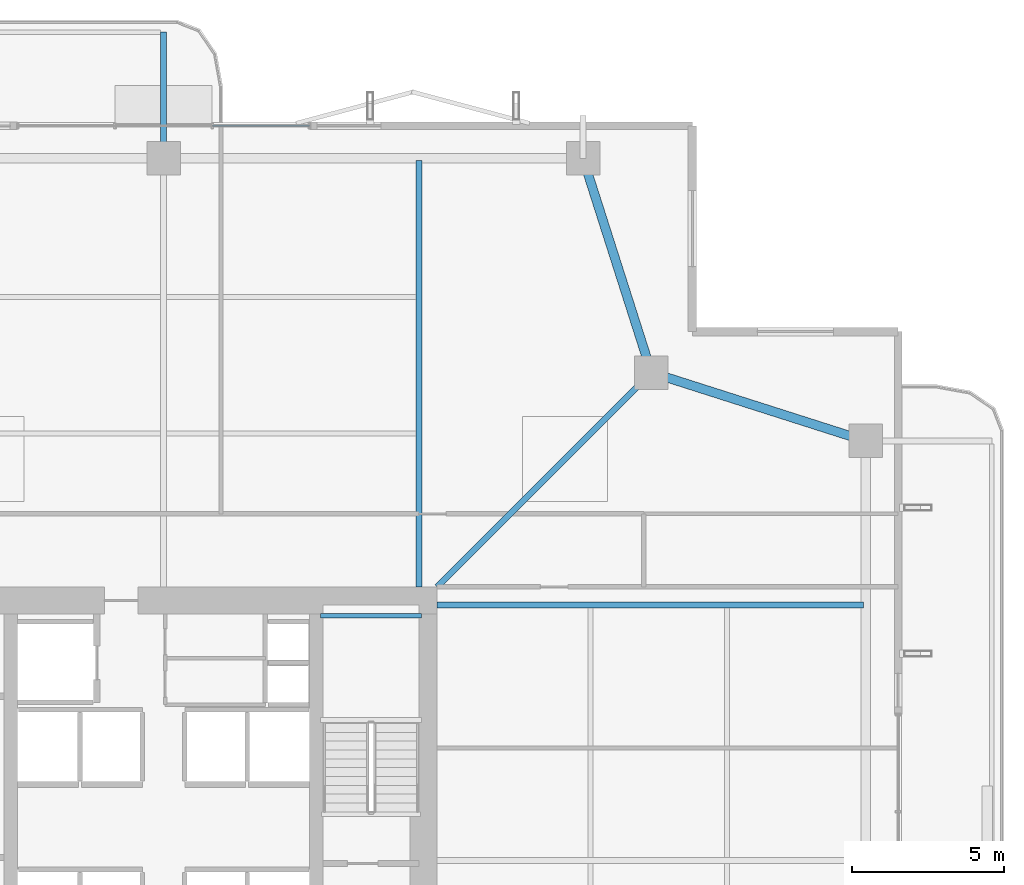
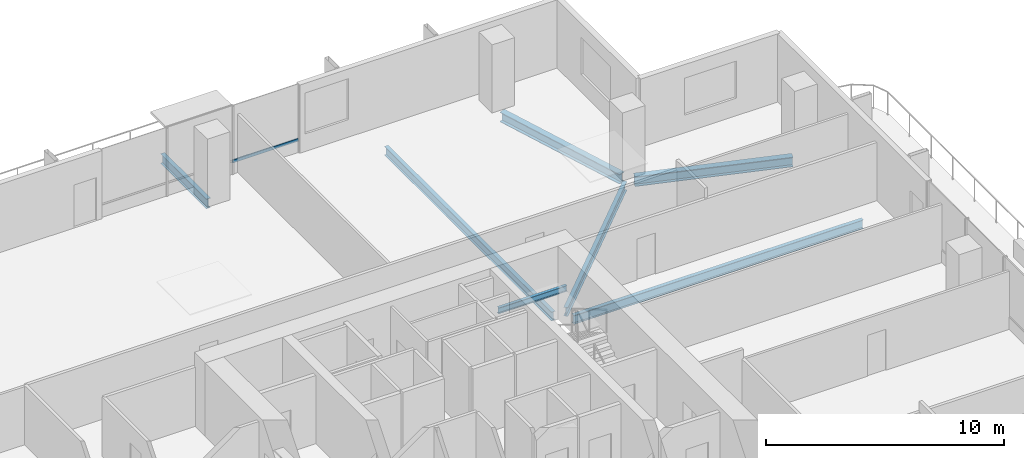
# One storey, part 14 of 25: 7 beams, 1 member, 1 element without a shape of its own.
"""IFC4 building model written with IfcOpenShell, lengths in metres."""

from ifc_helpers import new_model, si_unit, direction, frame, origin, origin_2d, place, context, subcontext, project, spatial, hollow_rectangle, i_section, extrude, material, layer, layer_set, material_profile, profile_set, type_object, element, aggregate, save


model = new_model("IFC4")

# Units and contexts
model_context = context("Model", 3, precision=1e-05, world=origin(), true_north=direction((0.0, 1.0)))
body_context = subcontext(model_context, "Body", "Model", "MODEL_VIEW")
ifc_project = project(units=[si_unit("LENGTHUNIT", "METRE"), si_unit("AREAUNIT", "SQUARE_METRE"), si_unit("VOLUMEUNIT", "CUBIC_METRE"), si_unit("PLANEANGLEUNIT", "RADIAN"), si_unit("MASSUNIT", "GRAM", prefix="KILO")], contexts=[model_context])

# Site, building, storey
site_placement = place(None, origin())
site = spatial("IfcSite", under=ifc_project, at=site_placement, CompositionType="ELEMENT")
building_placement = place(site_placement, origin())
building = spatial("IfcBuilding", under=site, at=building_placement, Name="Belovzor Exchange Tower", CompositionType="ELEMENT")
storey_placement = place(building_placement, frame((0.0, 0.0, 187.050048828125)))
storey = spatial("IfcBuildingStorey", under=building, at=storey_placement, Name="L46", CompositionType="ELEMENT", Elevation=187.050048828125)

# Beams
ifc_material_1 = material(Name="Steel S355", Category="steel")
ifc_material_profile_1 = material_profile(ifc_material_1, i_section(OverallWidth=0.199951171875, OverallDepth=0.5, WebThickness=0.01025390625, FlangeThickness=0.01611328125, at=origin_2d()))
ifc_profile_set_1 = profile_set([ifc_material_profile_1], Name="Steel S355")
beam_type_1 = type_object("IfcBeamType", Name="Planted Balcony Cantilever Beam IPE 500", PredefinedType="BEAM", material=ifc_profile_set_1)
beam_1_placement = place(storey_placement, frame((28.800048828125, 52.202880859375, -0.505126953125), z_axis=(0.0, 1.0, 0.0), x_axis=(-1.0, 0.0, 0.0)))
element("IfcBeam", 1, at=beam_1_placement, inside=storey, type_object=beam_type_1, Name="BC-500 Planted Balcony Cantilever Beam IPE 500", PredefinedType="BEAM", context=body_context, shape_type="SweptSolid", body=[
    extrude(i_section(OverallWidth=0.199951171875, OverallDepth=0.5, WebThickness=0.01025390625, FlangeThickness=0.01611328125, at=origin_2d()), origin(), (0.0, 0.0, 1.0), 3.85009765625),
])
ifc_material_2 = material(Name="Steel S355", Category="steel")
ifc_material_profile_2 = material_profile(ifc_material_2, i_section(OverallWidth=0.14990234375, OverallDepth=0.300048828125, WebThickness=0.007080078125, FlangeThickness=0.0107421875, at=origin_2d()))
ifc_profile_set_2 = profile_set([ifc_material_profile_2], Name="Steel S355")
beam_type_2 = type_object("IfcBeamType", Name="Secondary Trim Floor Joist IPE 300", PredefinedType="BEAM", material=ifc_profile_set_2)
beam_2_placement = place(storey_placement, frame((37.280029296875, 36.85009765625, 1.52490234375), z_axis=(-1.0, 0.0, 0.0), x_axis=(0.0, -1.0, 0.0)))
element("IfcBeam", 2, at=beam_2_placement, inside=storey, type_object=beam_type_2, Name="FJ-300 Secondary Trim Floor Joist IPE 300", PredefinedType="BEAM", context=body_context, shape_type="SweptSolid", body=[
    extrude(i_section(OverallWidth=0.14990234375, OverallDepth=0.300048828125, WebThickness=0.007080078125, FlangeThickness=0.0107421875, at=origin_2d()), origin(), (0.0, 0.0, 1.0), 3.31005859375),
])

# Curtain wall, member
ifc_material_3 = material(Name="Anodised Aluminium Framing", Category="aluminium")
ifc_layer = layer(ifc_material_3, 0.179931640625)
ifc_layer_set = layer_set([ifc_layer], Name="Anodised Aluminium Framing")
curtain_wall_type = type_object("IfcCurtainWallType", Name="Recessed Loggia Low-Iron Triple-Glazed Curtain Wall", PredefinedType="NOTDEFINED", material=ifc_layer_set)
curtain_wall_placement = place(storey_placement, origin())
curtain_wall = element("IfcCurtainWall", 3, at=curtain_wall_placement, inside=storey, type_object=curtain_wall_type, Name="CW3 Recessed Loggia Low-Iron Triple-Glazed Curtain Wall L46", PredefinedType="NOTDEFINED")
ifc_material_4 = material(Name="Steel S355", Category="steel")
ifc_material_profile_3 = material_profile(ifc_material_4, hollow_rectangle(XDim=0.06005859375, YDim=0.14990234375, WallThickness=0.00390625, at=origin_2d()))
ifc_profile_set_3 = profile_set([ifc_material_profile_3], Name="Steel S355")
member_type = type_object("IfcMemberType", Name="Thermally Broken Curtain Wall Transom 150x60", PredefinedType="USERDEFINED", material=ifc_profile_set_3)
member_placement = place(storey_placement, frame((30.407958984375, 52.969970703125, 0.62890625), z_axis=(1.0, 0.0, 0.0), x_axis=(0.0, 1.0, 0.0)))
member = element("IfcMember", 4, at=member_placement, type_object=member_type, Name="CW-T150 Curtain Wall Transom 3", ObjectType="TRANSOM", PredefinedType="USERDEFINED", context=body_context, shape_type="SweptSolid", body=[
    extrude(hollow_rectangle(XDim=0.06005859375, YDim=0.14990234375, WallThickness=0.00390625, at=origin_2d()), origin(), (0.0, 0.0, 1.0), 3.18408203125),
])
aggregate(curtain_wall, [member])

# Beams
ifc_material_5 = material(Name="Steel S355", Category="steel")
ifc_material_profile_4 = material_profile(ifc_material_5, i_section(OverallWidth=0.18994140625, OverallDepth=0.449951171875, WebThickness=0.009521484375, FlangeThickness=0.0146484375, at=origin_2d()))
ifc_profile_set_4 = profile_set([ifc_material_profile_4], Name="Steel S355")
beam_type_3 = type_object("IfcBeamType", Name="Zone 2-4 Radial Composite Floor Beam IPE 450", PredefinedType="BEAM", material=ifc_profile_set_4)
for number, where, z_axis, x_axis, name in (
    (5, (37.199951171875, 37.800048828125, -0.47998046875), (0.0, 1.0, 0.0), (-1.0, 0.0, 0.0), "FB-450 Zone 2-4 Radial Composite Floor Beam IPE 450"),
    (6, (37.800048828125, 37.199951171875, -0.47998046875), (1.0, 0.0, 0.0), (0.0, 1.0, 0.0), "FB-450 Zone 2-4 Radial Composite Floor Beam IPE 450"),
):
    element("IfcBeam", number, at=place(storey_placement, frame(where, z_axis=z_axis, x_axis=x_axis)), inside=storey, type_object=beam_type_3, Name=name, PredefinedType="BEAM", context=body_context, shape_type="SweptSolid", body=[
        extrude(i_section(OverallWidth=0.18994140625, OverallDepth=0.449951171875, WebThickness=0.009521484375, FlangeThickness=0.0146484375, at=origin_2d()), origin(), (0.0, 0.0, 1.0), 14.02490234375),
    ])
beam_3_placement = place(storey_placement, frame((37.800048828125, 37.800048828125, -0.47998046875), z_axis=(0.707106781187, 0.707106781187, 0.0), x_axis=(-0.707106781187, 0.707106781187, 0.0)))
element("IfcBeam", 7, at=beam_3_placement, inside=storey, type_object=beam_type_3, Name="FB-450 Zone 2-4 Radial Composite Floor Beam IPE 450", PredefinedType="BEAM", context=body_context, shape_type="SweptSolid", body=[
    extrude(i_section(OverallWidth=0.18994140625, OverallDepth=0.449951171875, WebThickness=0.009521484375, FlangeThickness=0.0146484375, at=origin_2d()), origin(), (0.0, 0.0, 1.0), 9.5810546875),
])
ifc_material_6 = material(Name="Steel S355", Category="steel")
ifc_material_profile_5 = material_profile(ifc_material_6, i_section(OverallWidth=0.300048828125, OverallDepth=0.5, WebThickness=0.014404296875, FlangeThickness=0.028076171875, at=origin_2d()))
ifc_profile_set_5 = profile_set([ifc_material_profile_5], Name="Steel S355")
beam_type_4 = type_object("IfcBeamType", Name="Zone 3 Waist Primary Girder HEB 500", PredefinedType="BEAM", material=ifc_profile_set_5)
for number, where, z_axis, x_axis, name in (
    (8, (51.612060546875, 42.69189453125, -0.505126953125), (-0.952661203756, 0.304033930439, 0.0), (-0.304033930439, -0.952661203756, 0.0), "FG-Z3 Zone 3 Waist Primary Girder HEB 500"),
    (9, (44.758056640625, 45.137939453125, -0.505126953125), (-0.304033930439, 0.952661203756, 0.0), (-0.952661203756, -0.304033930439, 0.0), "FG-Z3 Zone 3 Waist Primary Girder HEB 500"),
):
    element("IfcBeam", number, at=place(storey_placement, frame(where, z_axis=z_axis, x_axis=x_axis)), inside=storey, type_object=beam_type_4, Name=name, PredefinedType="BEAM", context=body_context, shape_type="SweptSolid", body=[
        extrude(i_section(OverallWidth=0.300048828125, OverallDepth=0.5, WebThickness=0.014404296875, FlangeThickness=0.028076171875, at=origin_2d()), origin(), (0.0, 0.0, 1.0), 6.7958984375),
    ])

save(model, "model.ifc")
